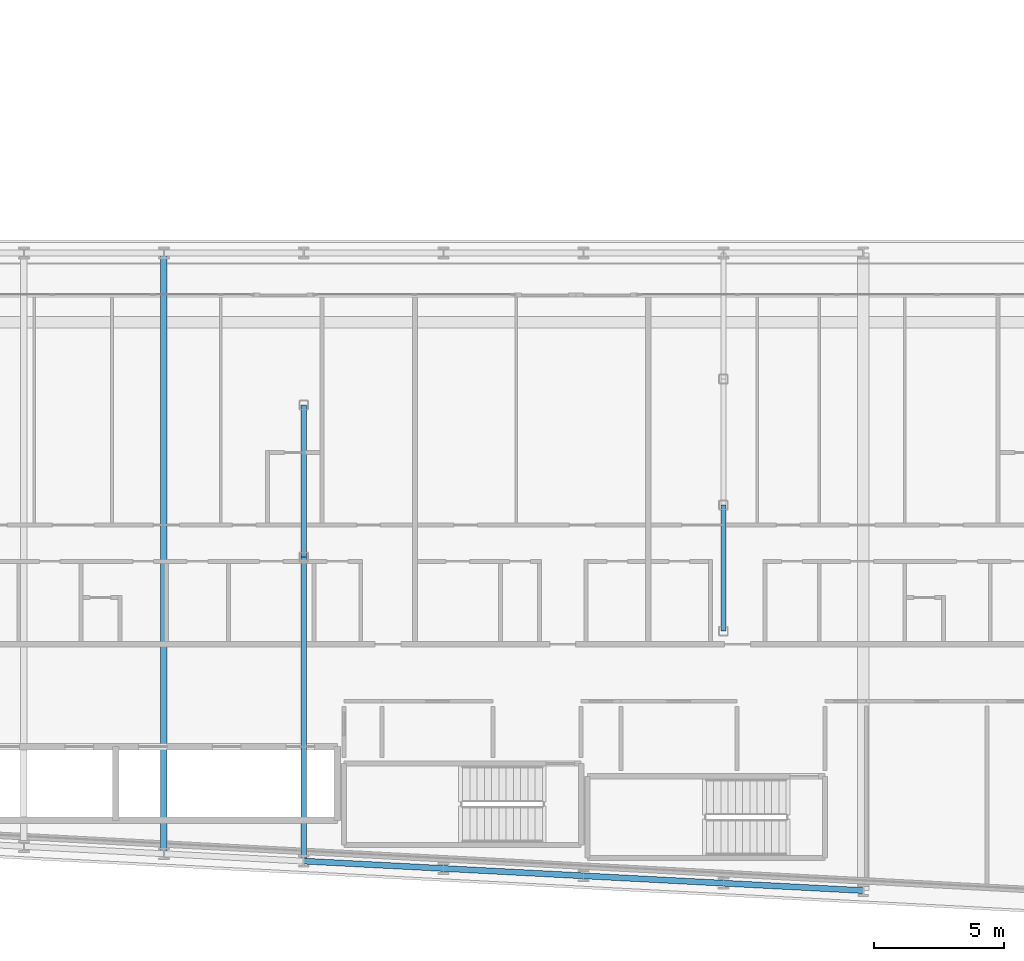
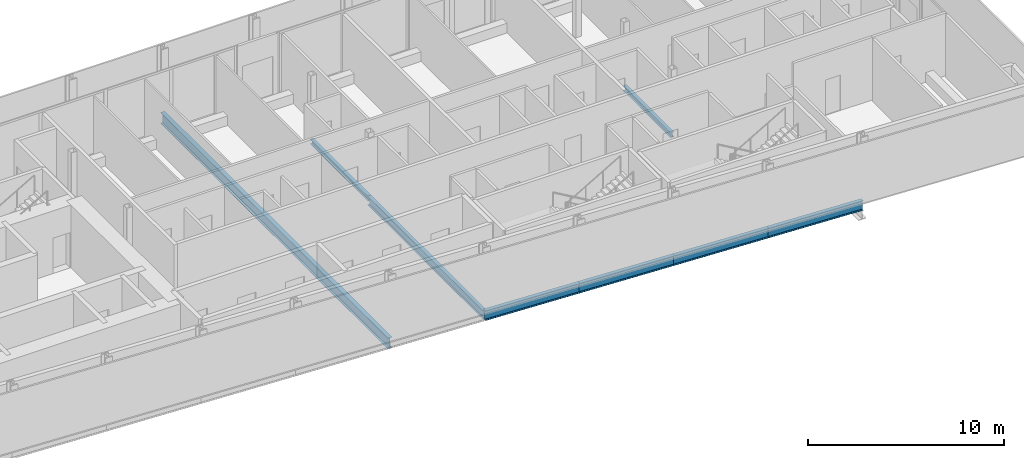
# One storey, part 5 of 28: 8 beams.
"""IFC4 building model written with IfcOpenShell, lengths in metres."""

from ifc_helpers import new_model, si_unit, direction, frame, origin, origin_2d, place, context, subcontext, project, spatial, i_section, extrude, material, material_profile, profile_set, type_object, element, save


model = new_model("IFC4")

# Units and contexts
model_context = context("Model", 3, precision=1e-05, world=origin(), true_north=direction((0.0, 1.0)))
body_context = subcontext(model_context, "Body", "Model", "MODEL_VIEW")
ifc_project = project(units=[si_unit("LENGTHUNIT", "METRE"), si_unit("AREAUNIT", "SQUARE_METRE"), si_unit("VOLUMEUNIT", "CUBIC_METRE"), si_unit("PLANEANGLEUNIT", "RADIAN"), si_unit("MASSUNIT", "GRAM", prefix="KILO")], contexts=[model_context])

# Site, building, storey
site_placement = place(None, origin())
site = spatial("IfcSite", under=ifc_project, at=site_placement, CompositionType="ELEMENT")
building_placement = place(site_placement, origin())
building = spatial("IfcBuilding", under=site, at=building_placement, Name="Kheshtan School and Residences Tower", CompositionType="ELEMENT")
storey_placement = place(building_placement, frame((0.0, 0.0, 137.0)))
storey = spatial("IfcBuildingStorey", under=building, at=storey_placement, Name="L32", CompositionType="ELEMENT", Elevation=137.0)

# Beams
ifc_material = material(Name="Steel ASTM A992 Grade 50", Category="steel")
ifc_material_profile_1 = material_profile(ifc_material, i_section(OverallWidth=0.202880859375, OverallDepth=0.302978515625, WebThickness=0.007568359375, FlangeThickness=0.01318359375, FilletRadius=0.009033203125, at=origin_2d()), Name="W310x60")
ifc_profile_set_1 = profile_set([ifc_material_profile_1], Name="Steel ASTM A992 Grade 50")
beam_type_1 = type_object("IfcBeamType", Name="Beam FB1 W310x60 ASTM A992 Grade 50", PredefinedType="BEAM", material=ifc_profile_set_1)
beam_1_placement = place(storey_placement, frame((85.39990234375, 31.0048828125, -0.301513671875), z_axis=(0.0, 1.0, 0.0), x_axis=(-1.0, 0.0, 0.0)))
element("IfcBeam", 1, at=beam_1_placement, inside=storey, type_object=beam_type_1, Name="Floor beam IC", PredefinedType="BEAM", context=body_context, shape_type="SweptSolid", body=[
    extrude(i_section(OverallWidth=0.202880859375, OverallDepth=0.302978515625, WebThickness=0.007568359375, FlangeThickness=0.01318359375, FilletRadius=0.009033203125, at=origin_2d()), origin(), (0.0, 0.0, 1.0), 4.865234375),
])
beam_2_placement = place(storey_placement, frame((69.199951171875, 33.863037109375, -0.301513671875), z_axis=(0.0, 1.0, 0.0), x_axis=(-1.0, 0.0, 0.0)))
element("IfcBeam", 2, at=beam_2_placement, inside=storey, type_object=beam_type_1, Name="Floor beam IC", PredefinedType="BEAM", context=body_context, shape_type="SweptSolid", body=[
    extrude(i_section(OverallWidth=0.202880859375, OverallDepth=0.302978515625, WebThickness=0.007568359375, FlangeThickness=0.01318359375, FilletRadius=0.009033203125, at=origin_2d()), origin(), (0.0, 0.0, 1.0), 5.868896484375),
])
ifc_material_profile_2 = material_profile(ifc_material, i_section(OverallWidth=0.208984375, OverallDepth=0.532958984375, WebThickness=0.01025390625, FlangeThickness=0.015625, FilletRadius=0.013916015625, at=origin_2d()), Name="W530x92")
ifc_profile_set_2 = profile_set([ifc_material_profile_2], Name="Steel ASTM A992 Grade 50")
beam_type_2 = type_object("IfcBeamType", Name="Beam FB4 W530x92 ASTM A992 Grade 50", PredefinedType="BEAM", material=ifc_profile_set_2)
beam_3_placement = place(storey_placement, frame((69.199951171875, 22.126953125, -0.41650390625), z_axis=(0.0, 1.0, 0.0), x_axis=(-1.0, 0.0, 0.0)))
element("IfcBeam", 3, at=beam_3_placement, inside=storey, type_object=beam_type_2, Name="Floor beam C014", PredefinedType="BEAM", context=body_context, shape_type="SweptSolid", body=[
    extrude(i_section(OverallWidth=0.208984375, OverallDepth=0.532958984375, WebThickness=0.01025390625, FlangeThickness=0.015625, FilletRadius=0.013916015625, at=origin_2d()), origin(), (0.0, 0.0, 1.0), 11.736083984375),
])
ifc_material_profile_3 = material_profile(ifc_material, i_section(OverallWidth=0.2529296875, OverallDepth=0.677978515625, WebThickness=0.01171875, FlangeThickness=0.016357421875, FilletRadius=0.0146484375, at=origin_2d()), Name="W690x125")
ifc_profile_set_3 = profile_set([ifc_material_profile_3], Name="Steel ASTM A992 Grade 50")
beam_type_3 = type_object("IfcBeamType", Name="Beam FB6 W690x125 ASTM A992 Grade 50", PredefinedType="BEAM", material=ifc_profile_set_3)
beam_4_placement = place(storey_placement, frame((63.800048828125, 45.60009765625, -0.489013671875), z_axis=(0.0, -1.0, 0.0), x_axis=(1.0, 0.0, 0.0)))
element("IfcBeam", 4, at=beam_4_placement, inside=storey, type_object=beam_type_3, Name="Floor beam C063", PredefinedType="BEAM", context=body_context, shape_type="SweptSolid", body=[
    extrude(i_section(OverallWidth=0.2529296875, OverallDepth=0.677978515625, WebThickness=0.01171875, FlangeThickness=0.016357421875, FilletRadius=0.0146484375, at=origin_2d()), origin(), (0.0, 0.0, 1.0), 23.189208984375),
])
ifc_material_profile_4 = material_profile(ifc_material, i_section(OverallWidth=0.22802734375, OverallDepth=0.60302734375, WebThickness=0.010498046875, FlangeThickness=0.014892578125, FilletRadius=0.013427734375, at=origin_2d()), Name="W610x101")
ifc_profile_set_4 = profile_set([ifc_material_profile_4], Name="Steel ASTM A992 Grade 50")
beam_type_4 = type_object("IfcBeamType", Name="Beam SP2 W610x101 ASTM A992 Grade 50", PredefinedType="BEAM", material=ifc_profile_set_4)
beam_5_placement = place(storey_placement, frame((90.800048828125, 20.989990234375, -0.451416015625), z_axis=(-0.998620571751, 0.05250670125, 0.0), x_axis=(-0.05250670125, -0.998620571751, 0.0)))
element("IfcBeam", 5, at=beam_5_placement, inside=storey, type_object=beam_type_4, Name="Spandrel beam C006-C008", PredefinedType="BEAM", context=body_context, shape_type="SweptSolid", body=[
    extrude(i_section(OverallWidth=0.22802734375, OverallDepth=0.60302734375, WebThickness=0.010498046875, FlangeThickness=0.014892578125, FilletRadius=0.013427734375, at=origin_2d()), origin(), (0.0, 0.0, 1.0), 5.40771484375),
])
for number, where, z_axis, x_axis, name in (
    (6, (85.39990234375, 21.27392578125, -0.451416015625), (-0.998618078766, 0.052554093665, 0.0), (-0.052554093665, -0.998618078766, 0.0), "Spandrel beam C008-C012"),
    (7, (80.0, 21.55810546875, -0.451416015625), (-0.998610961136, 0.052689166816, 0.0), (-0.052689166816, -0.998610961136, 0.0), "Spandrel beam C012-C013"),
):
    element("IfcBeam", number, at=place(storey_placement, frame(where, z_axis=z_axis, x_axis=x_axis)), inside=storey, type_object=beam_type_4, Name=name, PredefinedType="BEAM", context=body_context, shape_type="SweptSolid", body=[
        extrude(i_section(OverallWidth=0.22802734375, OverallDepth=0.60302734375, WebThickness=0.010498046875, FlangeThickness=0.014892578125, FilletRadius=0.013427734375, at=origin_2d()), origin(), (0.0, 0.0, 1.0), 5.407470703125),
    ])
beam_6_placement = place(storey_placement, frame((74.60009765625, 21.843017578125, -0.451416015625), z_axis=(-0.998620571751, 0.05250670125, 0.0), x_axis=(-0.05250670125, -0.998620571751, 0.0)))
element("IfcBeam", 8, at=beam_6_placement, inside=storey, type_object=beam_type_4, Name="Spandrel beam C013-C014", PredefinedType="BEAM", context=body_context, shape_type="SweptSolid", body=[
    extrude(i_section(OverallWidth=0.22802734375, OverallDepth=0.60302734375, WebThickness=0.010498046875, FlangeThickness=0.014892578125, FilletRadius=0.013427734375, at=origin_2d()), origin(), (0.0, 0.0, 1.0), 5.40771484375),
])

save(model, "model.ifc")
